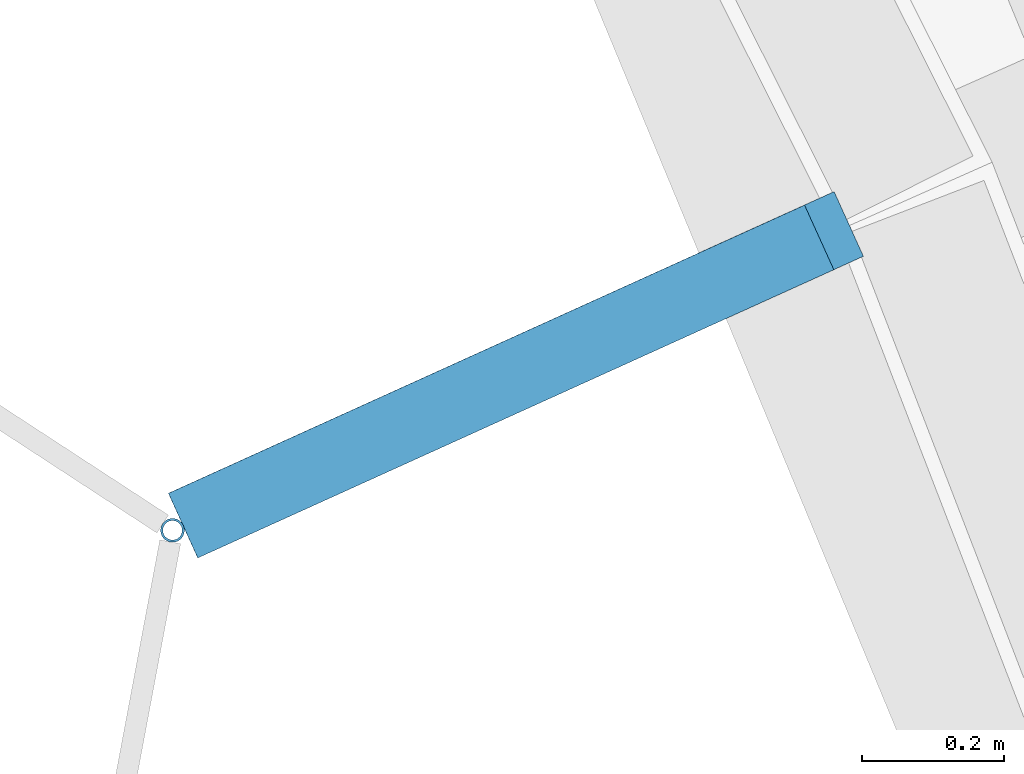
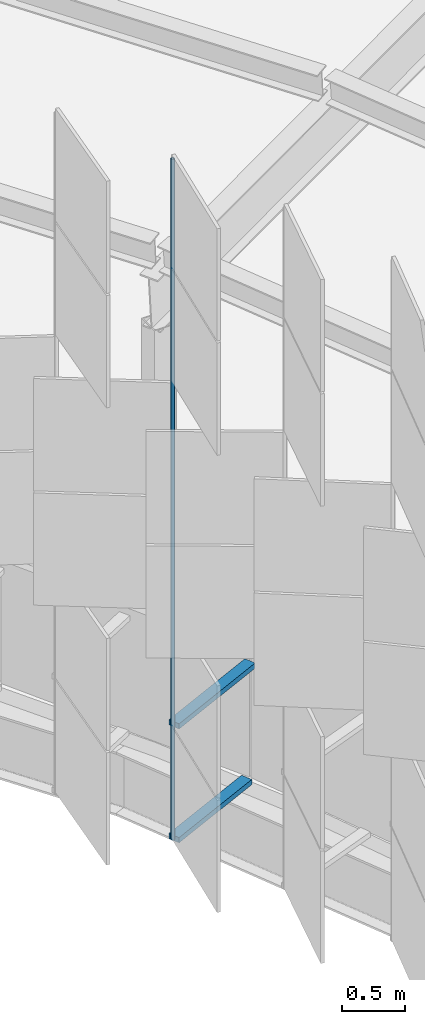
# One storey, part 212 of 483: 3 discrete accessories.
"""IFC4 building model written with IfcOpenShell, lengths in metres."""

from ifc_helpers import new_model, si_unit, direction, frame, origin, origin_2d, place, context, subcontext, project, spatial, rectangle, hollow_circle, extrude, material, material_profile, profile_set, type_object, element, save


model = new_model("IFC4")

# Units and contexts
model_context = context("Model", 3, precision=1e-05, world=origin(), true_north=direction((0.0, 1.0)))
body_context = subcontext(model_context, "Body", "Model", "MODEL_VIEW")
ifc_project = project(units=[si_unit("LENGTHUNIT", "METRE"), si_unit("AREAUNIT", "SQUARE_METRE"), si_unit("VOLUMEUNIT", "CUBIC_METRE"), si_unit("PLANEANGLEUNIT", "RADIAN"), si_unit("MASSUNIT", "GRAM", prefix="KILO")], contexts=[model_context])

# Site, building, storey
site_placement = place(None, origin())
site = spatial("IfcSite", under=ifc_project, at=site_placement, CompositionType="ELEMENT")
building_placement = place(site_placement, origin())
building = spatial("IfcBuilding", under=site, at=building_placement, Name="Parallax Yard Mobility Hub", CompositionType="ELEMENT")
storey_placement = place(building_placement, frame((0.0, 0.0, 13.199951171875)))
storey = spatial("IfcBuildingStorey", under=building, at=storey_placement, Name="L04", CompositionType="ELEMENT", Elevation=13.199951171875)

# Discrete accessories
ifc_material_1 = material(Name="Steel ASTM A36, hot-dip galvanised", Category="steel")
discrete_accessory_type_1 = type_object("IfcDiscreteAccessoryType", Name="Hinge bracket plate 100x50", PredefinedType="BRACKET", material=ifc_material_1)
discrete_accessory_1_placement = place(storey_placement, frame((192.595703125, 98.94580078125, -0.02490234375), z_axis=(0.0, 0.0, 1.0), x_axis=(-0.910863824921, -0.412707029804, 0.0)))
element("IfcDiscreteAccessory", 1, at=discrete_accessory_1_placement, inside=storey, type_object=discrete_accessory_type_1, Name="Hinge bracket plate bay 21.5 level L04", PredefinedType="BRACKET", context=body_context, shape_type="SweptSolid", body=[
    extrude(rectangle(XDim=0.984130859375, YDim=0.10009765625, at=origin_2d()), origin(), (0.0, 0.0, 1.0), 0.050048828125),
])
discrete_accessory_2_placement = place(storey_placement, frame((192.616455078125, 98.955322265625, 1.06982421875), z_axis=(0.0, 0.0, 1.0), x_axis=(-0.910863824921, -0.412707029804, 0.0)))
element("IfcDiscreteAccessory", 2, at=discrete_accessory_2_placement, inside=storey, type_object=discrete_accessory_type_1, Name="Hinge bracket plate bay 21.5 level L04", PredefinedType="BRACKET", context=body_context, shape_type="SweptSolid", body=[
    extrude(rectangle(XDim=1.030029296875, YDim=0.10009765625, at=origin_2d()), origin(), (0.0, 0.0, 1.0), 0.050048828125),
])
ifc_material_2 = material(Name="Steel ASTM A500 Gr C, hot-dip galvanised", Category="steel")
ifc_material_profile = material_profile(ifc_material_2, hollow_circle(Radius=0.016845703125, WallThickness=0.003173828125, at=origin_2d()), Name="CHS 33.7x3.2")
ifc_profile_set = profile_set([ifc_material_profile], Name="Steel ASTM A500 Gr C, hot-dip galvanised")
discrete_accessory_type_2 = type_object("IfcDiscreteAccessoryType", Name="Hinge post CHS 33.7x3.2", PredefinedType="BRACKET", material=ifc_profile_set)
discrete_accessory_3_placement = place(storey_placement, frame((192.132568359375, 98.736083984375, 0.0), z_axis=(0.0, 0.0, 1.0), x_axis=(1.0, 0.0, 0.0)))
element("IfcDiscreteAccessory", 3, at=discrete_accessory_3_placement, inside=storey, type_object=discrete_accessory_type_2, Name="Hinge post bay 21.5 level L04", PredefinedType="BRACKET", context=body_context, shape_type="SweptSolid", body=[
    extrude(hollow_circle(Radius=0.016845703125, WallThickness=0.003173828125, at=origin_2d()), origin(), (0.0, 0.0, 1.0), 6.550048828125),
])

save(model, "model.ifc")
